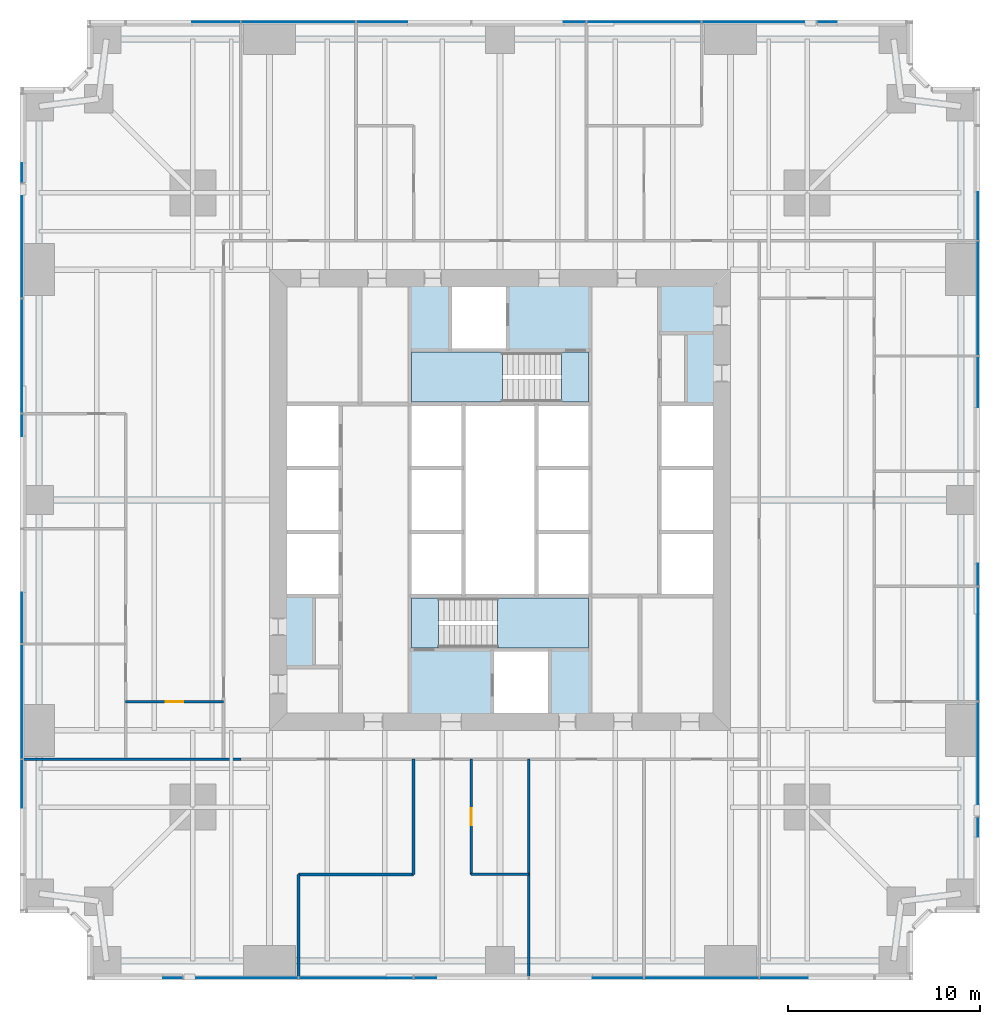
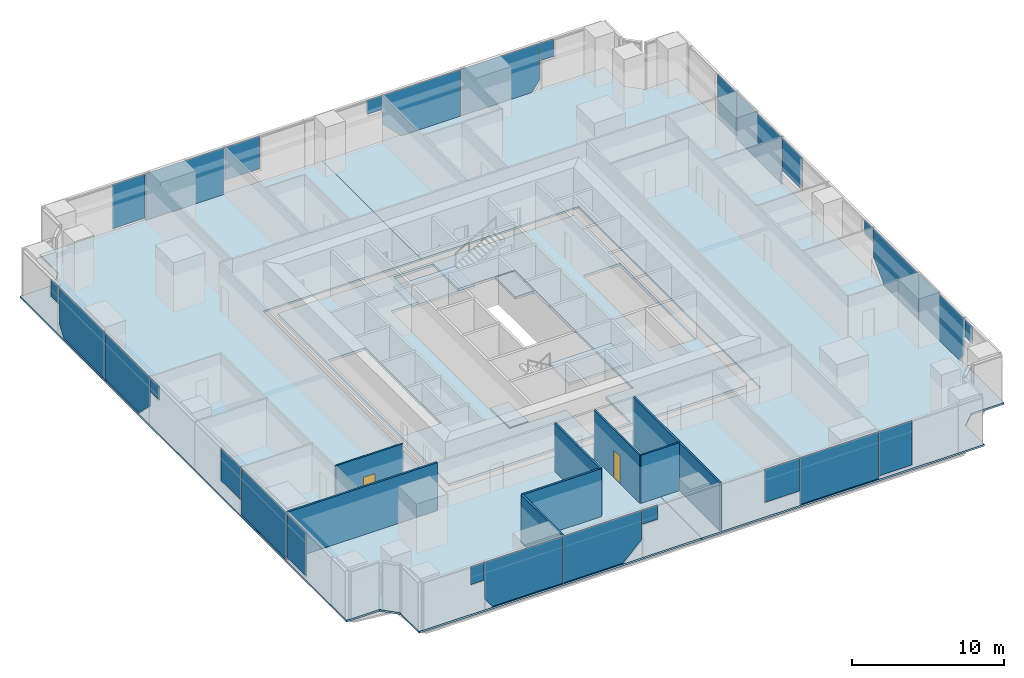
# One storey, part 8 of 13: 28 plates, 8 walls, 7 slabs, 2 doors, 2 openings, 6 elements without a shape of their own.
"""IFC4 building model written with IfcOpenShell, lengths in metres."""

from ifc_helpers import new_model, si_unit, direction, frame, frame_2d, origin, origin_2d, place, context, subcontext, project, spatial, polyline, rectangle, outline, extrude, material, layer, layer_set, type_object, element, fill, aggregate, save


model = new_model("IFC4")

# Units and contexts
model_context = context("Model", 3, precision=1e-05, world=origin(), true_north=direction((0.0, 1.0)))
body_context = subcontext(model_context, "Body", "Model", "MODEL_VIEW")
ifc_project = project(units=[si_unit("LENGTHUNIT", "METRE"), si_unit("AREAUNIT", "SQUARE_METRE"), si_unit("VOLUMEUNIT", "CUBIC_METRE"), si_unit("PLANEANGLEUNIT", "RADIAN"), si_unit("MASSUNIT", "GRAM", prefix="KILO")], contexts=[model_context])

# Site, building, storey
site_placement = place(None, origin())
site = spatial("IfcSite", under=ifc_project, at=site_placement, CompositionType="ELEMENT")
building_placement = place(site_placement, origin())
building = spatial("IfcBuilding", under=site, at=building_placement, Name="Fenwick Lantern Interchange", CompositionType="ELEMENT")
storey_placement = place(building_placement, frame((0.0, 0.0, 39.0)))
storey = spatial("IfcBuildingStorey", under=building, at=storey_placement, Name="L08", CompositionType="ELEMENT", Elevation=39.0)

# Slabs
ifc_material_1 = material(Name="Concrete f'c 35 MPa", Category="concrete")
ifc_layer_1 = layer(ifc_material_1, 0.199951171875)
ifc_layer_set_1 = layer_set([ifc_layer_1], Name="CORE FLOOR SLAB 200")
slab_type_1 = type_object("IfcSlabType", Name="CORE FLOOR SLAB 200", PredefinedType="FLOOR", material=ifc_layer_set_1)
slab_1_placement = place(storey_placement, frame((0.0, 0.0, -0.199951171875)))
element("IfcSlab", 1, at=slab_1_placement, inside=storey, type_object=slab_type_1, Name="L08/SLAB/CORE", PredefinedType="FLOOR", context=body_context, shape_type="SweptSolid", body=[
    extrude(outline(polyline([(13.699951171875, 36.300048828125), (36.300048828125, 36.300048828125), (36.300048828125, 13.699951171875), (13.699951171875, 13.699951171875), (13.699951171875, 36.300048828125)]), holes=[polyline([(13.89990234375, 20.0), (16.699951171875, 20.0), (16.699951171875, 23.333251953125), (16.699951171875, 26.666748046875), (16.699951171875, 30.0), (13.89990234375, 30.0), (13.89990234375, 26.666748046875), (13.89990234375, 23.333251953125), (13.89990234375, 20.0)]), polyline([(20.300048828125, 20.0), (20.300048828125, 17.199951171875), (24.60009765625, 17.199951171875), (24.60009765625, 13.89990234375), (27.60009765625, 13.89990234375), (27.60009765625, 17.199951171875), (29.699951171875, 17.199951171875), (29.699951171875, 20.0), (29.699951171875, 23.333251953125), (29.699951171875, 26.666748046875), (29.699951171875, 30.0), (29.699951171875, 32.800048828125), (25.39990234375, 32.800048828125), (25.39990234375, 36.10009765625), (22.39990234375, 36.10009765625), (22.39990234375, 32.800048828125), (20.300048828125, 32.800048828125), (20.300048828125, 30.0), (20.300048828125, 26.666748046875), (20.300048828125, 23.333251953125), (20.300048828125, 20.0)]), polyline([(33.300048828125, 23.333251953125), (33.300048828125, 20.0), (36.10009765625, 20.0), (36.10009765625, 23.333251953125), (36.10009765625, 26.666748046875), (36.10009765625, 30.0), (33.300048828125, 30.0), (33.300048828125, 26.666748046875), (33.300048828125, 23.333251953125)])]), origin(), (0.0, 0.0, 1.0), 0.199951171875),
])
ifc_material_2 = material(Name="Concrete f'c 35 MPa", Category="concrete")
ifc_layer_2 = layer(ifc_material_2, 0.14990234375)
ifc_layer_set_2 = layer_set([ifc_layer_2], Name="Concrete f'c 35 MPa")
slab_type_2 = type_object("IfcSlabType", Name="FLOOR SLAB 150", PredefinedType="FLOOR", material=ifc_layer_set_2)
slab_2_placement = place(storey_placement, frame((0.0, 0.0, -0.14990234375)))
element("IfcSlab", 2, at=slab_2_placement, inside=storey, type_object=slab_type_2, Name="L08/SLAB/FW", PredefinedType="FLOOR", context=body_context, shape_type="SweptSolid", body=[
    extrude(outline(polyline([(3.5, 0.0), (3.5, 2.5), (2.5, 3.5), (0.0, 3.5), (0.0, 46.5), (2.5, 46.5), (3.5, 47.5), (3.5, 50.0), (25.0, 50.0), (25.0, 37.0), (13.0, 37.0), (13.0, 13.0), (25.0, 13.0), (25.0, 0.0), (3.5, 0.0)])), origin(), (0.0, 0.0, 1.0), 0.14990234375),
])
slab_3_placement = place(storey_placement, frame((0.0, 0.0, -0.14990234375)))
element("IfcSlab", 3, at=slab_3_placement, inside=storey, type_object=slab_type_2, Name="L08/SLAB/FE", PredefinedType="FLOOR", context=body_context, shape_type="SweptSolid", body=[
    extrude(outline(polyline([(46.5, 50.0), (46.5, 47.5), (47.5, 46.5), (50.0, 46.5), (50.0, 3.5), (47.5, 3.5), (46.5, 2.5), (46.5, 0.0), (25.0, 0.0), (25.0, 13.0), (37.0, 13.0), (37.0, 37.0), (25.0, 37.0), (25.0, 50.0), (46.5, 50.0)])), origin(), (0.0, 0.0, 1.0), 0.14990234375),
])

# Curtain wall, plates
ifc_material_3 = material(Name="Aluminium curtain wall frame", Category="aluminium")
curtain_wall_type = type_object("IfcCurtainWallType", Name="OFFICE CURTAIN WALL", PredefinedType="USERDEFINED", material=ifc_material_3)
curtain_wall_1_placement = place(storey_placement, origin())
curtain_wall_1 = element("IfcCurtainWall", 4, at=curtain_wall_1_placement, inside=storey, type_object=curtain_wall_type, Name="Office curtain wall 01", ObjectType="OFFICE CURTAIN WALL", PredefinedType="USERDEFINED")
ifc_material_4 = material(Name="Vision glass, clear low-iron double glazed", Category="glass")
ifc_layer_3 = layer(ifc_material_4, 0.031982421875)
ifc_layer_set_3 = layer_set([ifc_layer_3], Name="OFFICE CURTAIN WALL PANEL 32")
plate_type = type_object("IfcPlateType", Name="OFFICE CURTAIN WALL PANEL 32", PredefinedType="CURTAIN_PANEL", material=ifc_layer_set_3)
plate_1_placement = place(storey_placement, frame((3.60009765625, 0.10009765625, 2.32568359375), z_axis=(0.0, 0.0, 1.0), x_axis=(1.0, 0.0, 0.0)))
plate_1 = element("IfcPlate", 5, at=plate_1_placement, type_object=plate_type, Name="L08/CW/01/P00a", PredefinedType="CURTAIN_PANEL", context=body_context, shape_type="SweptSolid", body=[
    extrude(outline(polyline([(3.8603515625, 0.0), (4.867431640625, 0.0), (4.867431640625, 1.42431640625), (3.8603515625, 1.42431640625), (3.8603515625, 0.0)])), frame((0.0, 0.01611328125, 0.0), z_axis=(0.0, -1.0, 0.0), x_axis=(1.0, 0.0, 0.0)), (0.0, 0.0, 1.0), 0.031982421875),
])
plate_2_placement = place(storey_placement, frame((3.60009765625, 0.10009765625, 0.0), z_axis=(0.0, 0.0, 1.0), x_axis=(1.0, 0.0, 0.0)))
plate_2 = element("IfcPlate", 6, at=plate_2_placement, type_object=plate_type, Name="L08/CW/01/P01a", PredefinedType="CURTAIN_PANEL", context=body_context, shape_type="SweptSolid", body=[
    extrude(outline(polyline([(5.5048828125, 0.0), (10.867431640625, 0.0), (10.867431640625, 3.75), (4.9326171875, 3.75), (4.9326171875, 0.809326171875), (5.5048828125, 0.0)])), frame((0.0, 0.01611328125, 0.0), z_axis=(0.0, -1.0, 0.0), x_axis=(1.0, 0.0, 0.0)), (0.0, 0.0, 1.0), 0.031982421875),
])
plate_3_placement = place(storey_placement, frame((3.60009765625, 0.10009765625, 0.0), z_axis=(0.0, 0.0, 1.0), x_axis=(1.0, 0.0, 0.0)))
plate_3 = element("IfcPlate", 7, at=plate_3_placement, type_object=plate_type, Name="L08/CW/01/P02a", PredefinedType="CURTAIN_PANEL", context=body_context, shape_type="SweptSolid", body=[
    extrude(outline(polyline([(10.9326171875, 0.0), (15.4677734375, 0.0), (16.867431640625, 1.40185546875), (16.867431640625, 3.75), (10.9326171875, 3.75), (10.9326171875, 0.0)])), frame((0.0, 0.01611328125, 0.0), z_axis=(0.0, -1.0, 0.0), x_axis=(1.0, 0.0, 0.0)), (0.0, 0.0, 1.0), 0.031982421875),
])
plate_4_placement = place(storey_placement, frame((3.60009765625, 0.10009765625, 2.60888671875), z_axis=(0.0, 0.0, 1.0), x_axis=(1.0, 0.0, 0.0)))
plate_4 = element("IfcPlate", 8, at=plate_4_placement, type_object=plate_type, Name="L08/CW/01/P03a", PredefinedType="CURTAIN_PANEL", context=body_context, shape_type="SweptSolid", body=[
    extrude(outline(polyline([(16.9326171875, 0.0), (18.072509765625, 0.0), (18.072509765625, 1.14111328125), (16.9326171875, 1.14111328125), (16.9326171875, 0.0)])), frame((0.0, 0.01611328125, 0.0), z_axis=(0.0, -1.0, 0.0), x_axis=(1.0, 0.0, 0.0)), (0.0, 0.0, 1.0), 0.031982421875),
])
plate_5_placement = place(storey_placement, frame((3.60009765625, 0.10009765625, 1.1044921875), z_axis=(0.0, 0.0, 1.0), x_axis=(1.0, 0.0, 0.0)))
plate_5 = element("IfcPlate", 9, at=plate_5_placement, type_object=plate_type, Name="L08/CW/01/P04a", PredefinedType="CURTAIN_PANEL", context=body_context, shape_type="SweptSolid", body=[
    extrude(outline(polyline([(26.2294921875, 0.0), (28.867431640625, 0.0), (28.867431640625, 2.6455078125), (26.2294921875, 2.6455078125), (26.2294921875, 0.0)])), frame((0.0, 0.01611328125, 0.0), z_axis=(0.0, -1.0, 0.0), x_axis=(1.0, 0.0, 0.0)), (0.0, 0.0, 1.0), 0.031982421875),
])
plate_6_placement = place(storey_placement, frame((35.5, 0.10009765625, 0.0), z_axis=(0.0, 0.0, 1.0), x_axis=(1.0, 0.0, 0.0)))
plate_6 = element("IfcPlate", 10, at=plate_6_placement, type_object=plate_type, Name="L08/CW/01/P05", PredefinedType="CURTAIN_PANEL", context=body_context, shape_type="SweptSolid", body=[
    extrude(rectangle(XDim=5.93505859375, YDim=0.031982421875, at=origin_2d()), origin(), (0.0, 0.0, 1.0), 3.75),
])
plate_7_placement = place(storey_placement, frame((3.60009765625, 0.10009765625, 0.201416015625), z_axis=(0.0, 0.0, 1.0), x_axis=(1.0, 0.0, 0.0)))
plate_7 = element("IfcPlate", 11, at=plate_7_placement, type_object=plate_type, Name="L08/CW/01/P06a", PredefinedType="CURTAIN_PANEL", context=body_context, shape_type="SweptSolid", body=[
    extrude(outline(polyline([(34.9326171875, 0.0), (37.4375, 0.0), (37.4375, 3.548583984375), (34.9326171875, 3.548583984375), (34.9326171875, 0.0)])), frame((0.0, 0.01611328125, 0.0), z_axis=(0.0, -1.0, 0.0), x_axis=(1.0, 0.0, 0.0)), (0.0, 0.0, 1.0), 0.031982421875),
])
aggregate(curtain_wall_1, [plate_1, plate_2, plate_3, plate_4, plate_5, plate_6, plate_7])

curtain_wall_2_placement = place(storey_placement, origin())
curtain_wall_2 = element("IfcCurtainWall", 12, at=curtain_wall_2_placement, inside=storey, type_object=curtain_wall_type, Name="Office curtain wall 05", ObjectType="OFFICE CURTAIN WALL", PredefinedType="USERDEFINED")
plate_8_placement = place(storey_placement, frame((49.89990234375, 3.60009765625, 2.32568359375), z_axis=(0.0, 0.0, 1.0), x_axis=(0.0, 1.0, 0.0)))
plate_8 = element("IfcPlate", 13, at=plate_8_placement, type_object=plate_type, Name="L08/CW/05/P00a", PredefinedType="CURTAIN_PANEL", context=body_context, shape_type="SweptSolid", body=[
    extrude(outline(polyline([(3.8603515625, 0.0), (4.867431640625, 0.0), (4.867431640625, 1.42431640625), (3.8603515625, 1.42431640625), (3.8603515625, 0.0)])), frame((0.0, 0.01611328125, 0.0), z_axis=(0.0, -1.0, 0.0), x_axis=(1.0, 0.0, 0.0)), (0.0, 0.0, 1.0), 0.031982421875),
])
plate_9_placement = place(storey_placement, frame((49.89990234375, 3.60009765625, 0.0), z_axis=(0.0, 0.0, 1.0), x_axis=(0.0, 1.0, 0.0)))
plate_9 = element("IfcPlate", 14, at=plate_9_placement, type_object=plate_type, Name="L08/CW/05/P01a", PredefinedType="CURTAIN_PANEL", context=body_context, shape_type="SweptSolid", body=[
    extrude(outline(polyline([(5.5048828125, 0.0), (10.867431640625, 0.0), (10.867431640625, 3.75), (4.9326171875, 3.75), (4.9326171875, 0.809326171875), (5.5048828125, 0.0)])), frame((0.0, 0.01611328125, 0.0), z_axis=(0.0, -1.0, 0.0), x_axis=(1.0, 0.0, 0.0)), (0.0, 0.0, 1.0), 0.031982421875),
])
plate_10_placement = place(storey_placement, frame((49.89990234375, 3.60009765625, 0.0), z_axis=(0.0, 0.0, 1.0), x_axis=(0.0, 1.0, 0.0)))
plate_10 = element("IfcPlate", 15, at=plate_10_placement, type_object=plate_type, Name="L08/CW/05/P02a", PredefinedType="CURTAIN_PANEL", context=body_context, shape_type="SweptSolid", body=[
    extrude(outline(polyline([(10.9326171875, 0.0), (15.4677734375, 0.0), (16.867431640625, 1.40185546875), (16.867431640625, 3.75), (10.9326171875, 3.75), (10.9326171875, 0.0)])), frame((0.0, 0.01611328125, 0.0), z_axis=(0.0, -1.0, 0.0), x_axis=(1.0, 0.0, 0.0)), (0.0, 0.0, 1.0), 0.031982421875),
])
plate_11_placement = place(storey_placement, frame((49.89990234375, 3.60009765625, 2.60888671875), z_axis=(0.0, 0.0, 1.0), x_axis=(0.0, 1.0, 0.0)))
plate_11 = element("IfcPlate", 16, at=plate_11_placement, type_object=plate_type, Name="L08/CW/05/P03a", PredefinedType="CURTAIN_PANEL", context=body_context, shape_type="SweptSolid", body=[
    extrude(outline(polyline([(16.9326171875, 0.0), (18.072509765625, 0.0), (18.072509765625, 1.14111328125), (16.9326171875, 1.14111328125), (16.9326171875, 0.0)])), frame((0.0, 0.01611328125, 0.0), z_axis=(0.0, -1.0, 0.0), x_axis=(1.0, 0.0, 0.0)), (0.0, 0.0, 1.0), 0.031982421875),
])
plate_12_placement = place(storey_placement, frame((49.89990234375, 3.60009765625, 1.1044921875), z_axis=(0.0, 0.0, 1.0), x_axis=(0.0, 1.0, 0.0)))
plate_12 = element("IfcPlate", 17, at=plate_12_placement, type_object=plate_type, Name="L08/CW/05/P04a", PredefinedType="CURTAIN_PANEL", context=body_context, shape_type="SweptSolid", body=[
    extrude(outline(polyline([(26.2294921875, 0.0), (28.867431640625, 0.0), (28.867431640625, 2.6455078125), (26.2294921875, 2.6455078125), (26.2294921875, 0.0)])), frame((0.0, 0.01611328125, 0.0), z_axis=(0.0, -1.0, 0.0), x_axis=(1.0, 0.0, 0.0)), (0.0, 0.0, 1.0), 0.031982421875),
])
plate_13_placement = place(storey_placement, frame((49.89990234375, 35.5, 0.0), z_axis=(0.0, 0.0, 1.0), x_axis=(0.0, 1.0, 0.0)))
plate_13 = element("IfcPlate", 18, at=plate_13_placement, type_object=plate_type, Name="L08/CW/05/P05", PredefinedType="CURTAIN_PANEL", context=body_context, shape_type="SweptSolid", body=[
    extrude(rectangle(XDim=5.93505859375, YDim=0.031982421875, at=origin_2d()), origin(), (0.0, 0.0, 1.0), 3.75),
])
plate_14_placement = place(storey_placement, frame((49.89990234375, 3.60009765625, 0.201416015625), z_axis=(0.0, 0.0, 1.0), x_axis=(0.0, 1.0, 0.0)))
plate_14 = element("IfcPlate", 19, at=plate_14_placement, type_object=plate_type, Name="L08/CW/05/P06a", PredefinedType="CURTAIN_PANEL", context=body_context, shape_type="SweptSolid", body=[
    extrude(outline(polyline([(34.9326171875, 0.0), (37.4375, 0.0), (37.4375, 3.548583984375), (34.9326171875, 3.548583984375), (34.9326171875, 0.0)])), frame((0.0, 0.01611328125, 0.0), z_axis=(0.0, -1.0, 0.0), x_axis=(1.0, 0.0, 0.0)), (0.0, 0.0, 1.0), 0.031982421875),
])
aggregate(curtain_wall_2, [plate_8, plate_9, plate_10, plate_11, plate_12, plate_13, plate_14])

curtain_wall_3_placement = place(storey_placement, origin())
curtain_wall_3 = element("IfcCurtainWall", 20, at=curtain_wall_3_placement, inside=storey, type_object=curtain_wall_type, Name="Office curtain wall 09", ObjectType="OFFICE CURTAIN WALL", PredefinedType="USERDEFINED")
plate_15_placement = place(storey_placement, frame((46.39990234375, 49.89990234375, 2.32568359375), z_axis=(0.0, 0.0, 1.0), x_axis=(-1.0, 0.0, 0.0)))
plate_15 = element("IfcPlate", 21, at=plate_15_placement, type_object=plate_type, Name="L08/CW/09/P00a", PredefinedType="CURTAIN_PANEL", context=body_context, shape_type="SweptSolid", body=[
    extrude(outline(polyline([(3.8603515625, 0.0), (4.867431640625, 0.0), (4.867431640625, 1.42431640625), (3.8603515625, 1.42431640625), (3.8603515625, 0.0)])), frame((0.0, 0.01611328125, 0.0), z_axis=(0.0, -1.0, 0.0), x_axis=(1.0, 0.0, 0.0)), (0.0, 0.0, 1.0), 0.031982421875),
])
plate_16_placement = place(storey_placement, frame((46.39990234375, 49.89990234375, 0.0), z_axis=(0.0, 0.0, 1.0), x_axis=(-1.0, 0.0, 0.0)))
plate_16 = element("IfcPlate", 22, at=plate_16_placement, type_object=plate_type, Name="L08/CW/09/P01a", PredefinedType="CURTAIN_PANEL", context=body_context, shape_type="SweptSolid", body=[
    extrude(outline(polyline([(5.5048828125, 0.0), (10.867431640625, 0.0), (10.867431640625, 3.75), (4.9326171875, 3.75), (4.9326171875, 0.809326171875), (5.5048828125, 0.0)])), frame((0.0, 0.01611328125, 0.0), z_axis=(0.0, -1.0, 0.0), x_axis=(1.0, 0.0, 0.0)), (0.0, 0.0, 1.0), 0.031982421875),
])
plate_17_placement = place(storey_placement, frame((46.39990234375, 49.89990234375, 0.0), z_axis=(0.0, 0.0, 1.0), x_axis=(-1.0, 0.0, 0.0)))
plate_17 = element("IfcPlate", 23, at=plate_17_placement, type_object=plate_type, Name="L08/CW/09/P02a", PredefinedType="CURTAIN_PANEL", context=body_context, shape_type="SweptSolid", body=[
    extrude(outline(polyline([(10.9326171875, 0.0), (15.4677734375, 0.0), (16.867431640625, 1.40185546875), (16.867431640625, 3.75), (10.9326171875, 3.75), (10.9326171875, 0.0)])), frame((0.0, 0.01611328125, 0.0), z_axis=(0.0, -1.0, 0.0), x_axis=(1.0, 0.0, 0.0)), (0.0, 0.0, 1.0), 0.031982421875),
])
plate_18_placement = place(storey_placement, frame((46.39990234375, 49.89990234375, 2.60888671875), z_axis=(0.0, 0.0, 1.0), x_axis=(-1.0, 0.0, 0.0)))
plate_18 = element("IfcPlate", 24, at=plate_18_placement, type_object=plate_type, Name="L08/CW/09/P03a", PredefinedType="CURTAIN_PANEL", context=body_context, shape_type="SweptSolid", body=[
    extrude(outline(polyline([(16.9326171875, 0.0), (18.072509765625, 0.0), (18.072509765625, 1.14111328125), (16.9326171875, 1.14111328125), (16.9326171875, 0.0)])), frame((0.0, 0.01611328125, 0.0), z_axis=(0.0, -1.0, 0.0), x_axis=(1.0, 0.0, 0.0)), (0.0, 0.0, 1.0), 0.031982421875),
])
plate_19_placement = place(storey_placement, frame((46.39990234375, 49.89990234375, 1.1044921875), z_axis=(0.0, 0.0, 1.0), x_axis=(-1.0, 0.0, 0.0)))
plate_19 = element("IfcPlate", 25, at=plate_19_placement, type_object=plate_type, Name="L08/CW/09/P04a", PredefinedType="CURTAIN_PANEL", context=body_context, shape_type="SweptSolid", body=[
    extrude(outline(polyline([(26.2294921875, 0.0), (28.867431640625, 0.0), (28.867431640625, 2.6455078125), (26.2294921875, 2.6455078125), (26.2294921875, 0.0)])), frame((0.0, 0.01611328125, 0.0), z_axis=(0.0, -1.0, 0.0), x_axis=(1.0, 0.0, 0.0)), (0.0, 0.0, 1.0), 0.031982421875),
])
plate_20_placement = place(storey_placement, frame((14.5, 49.89990234375, 0.0), z_axis=(0.0, 0.0, 1.0), x_axis=(-1.0, 0.0, 0.0)))
plate_20 = element("IfcPlate", 26, at=plate_20_placement, type_object=plate_type, Name="L08/CW/09/P05", PredefinedType="CURTAIN_PANEL", context=body_context, shape_type="SweptSolid", body=[
    extrude(rectangle(XDim=5.93505859375, YDim=0.031982421875, at=origin_2d()), origin(), (0.0, 0.0, 1.0), 3.75),
])
plate_21_placement = place(storey_placement, frame((46.39990234375, 49.89990234375, 0.201416015625), z_axis=(0.0, 0.0, 1.0), x_axis=(-1.0, 0.0, 0.0)))
plate_21 = element("IfcPlate", 27, at=plate_21_placement, type_object=plate_type, Name="L08/CW/09/P06a", PredefinedType="CURTAIN_PANEL", context=body_context, shape_type="SweptSolid", body=[
    extrude(outline(polyline([(34.9326171875, 0.0), (37.4375, 0.0), (37.4375, 3.548583984375), (34.9326171875, 3.548583984375), (34.9326171875, 0.0)])), frame((0.0, 0.01611328125, 0.0), z_axis=(0.0, -1.0, 0.0), x_axis=(1.0, 0.0, 0.0)), (0.0, 0.0, 1.0), 0.031982421875),
])
aggregate(curtain_wall_3, [plate_15, plate_16, plate_17, plate_18, plate_19, plate_20, plate_21])

curtain_wall_4_placement = place(storey_placement, origin())
curtain_wall_4 = element("IfcCurtainWall", 28, at=curtain_wall_4_placement, inside=storey, type_object=curtain_wall_type, Name="Office curtain wall 13", ObjectType="OFFICE CURTAIN WALL", PredefinedType="USERDEFINED")
plate_22_placement = place(storey_placement, frame((0.10009765625, 46.39990234375, 2.32568359375), z_axis=(0.0, 0.0, 1.0), x_axis=(0.0, -1.0, 0.0)))
plate_22 = element("IfcPlate", 29, at=plate_22_placement, type_object=plate_type, Name="L08/CW/13/P00a", PredefinedType="CURTAIN_PANEL", context=body_context, shape_type="SweptSolid", body=[
    extrude(outline(polyline([(3.8603515625, 0.0), (4.867431640625, 0.0), (4.867431640625, 1.42431640625), (3.8603515625, 1.42431640625), (3.8603515625, 0.0)])), frame((0.0, 0.01611328125, 0.0), z_axis=(0.0, -1.0, 0.0), x_axis=(1.0, 0.0, 0.0)), (0.0, 0.0, 1.0), 0.031982421875),
])
plate_23_placement = place(storey_placement, frame((0.10009765625, 46.39990234375, 0.0), z_axis=(0.0, 0.0, 1.0), x_axis=(0.0, -1.0, 0.0)))
plate_23 = element("IfcPlate", 30, at=plate_23_placement, type_object=plate_type, Name="L08/CW/13/P01a", PredefinedType="CURTAIN_PANEL", context=body_context, shape_type="SweptSolid", body=[
    extrude(outline(polyline([(5.5048828125, 0.0), (10.867431640625, 0.0), (10.867431640625, 3.75), (4.9326171875, 3.75), (4.9326171875, 0.809326171875), (5.5048828125, 0.0)])), frame((0.0, 0.01611328125, 0.0), z_axis=(0.0, -1.0, 0.0), x_axis=(1.0, 0.0, 0.0)), (0.0, 0.0, 1.0), 0.031982421875),
])
plate_24_placement = place(storey_placement, frame((0.10009765625, 46.39990234375, 0.0), z_axis=(0.0, 0.0, 1.0), x_axis=(0.0, -1.0, 0.0)))
plate_24 = element("IfcPlate", 31, at=plate_24_placement, type_object=plate_type, Name="L08/CW/13/P02a", PredefinedType="CURTAIN_PANEL", context=body_context, shape_type="SweptSolid", body=[
    extrude(outline(polyline([(10.9326171875, 0.0), (15.4677734375, 0.0), (16.867431640625, 1.40185546875), (16.867431640625, 3.75), (10.9326171875, 3.75), (10.9326171875, 0.0)])), frame((0.0, 0.01611328125, 0.0), z_axis=(0.0, -1.0, 0.0), x_axis=(1.0, 0.0, 0.0)), (0.0, 0.0, 1.0), 0.031982421875),
])
plate_25_placement = place(storey_placement, frame((0.10009765625, 46.39990234375, 2.60888671875), z_axis=(0.0, 0.0, 1.0), x_axis=(0.0, -1.0, 0.0)))
plate_25 = element("IfcPlate", 32, at=plate_25_placement, type_object=plate_type, Name="L08/CW/13/P03a", PredefinedType="CURTAIN_PANEL", context=body_context, shape_type="SweptSolid", body=[
    extrude(outline(polyline([(16.9326171875, 0.0), (18.072509765625, 0.0), (18.072509765625, 1.14111328125), (16.9326171875, 1.14111328125), (16.9326171875, 0.0)])), frame((0.0, 0.01611328125, 0.0), z_axis=(0.0, -1.0, 0.0), x_axis=(1.0, 0.0, 0.0)), (0.0, 0.0, 1.0), 0.031982421875),
])
plate_26_placement = place(storey_placement, frame((0.10009765625, 46.39990234375, 1.1044921875), z_axis=(0.0, 0.0, 1.0), x_axis=(0.0, -1.0, 0.0)))
plate_26 = element("IfcPlate", 33, at=plate_26_placement, type_object=plate_type, Name="L08/CW/13/P04a", PredefinedType="CURTAIN_PANEL", context=body_context, shape_type="SweptSolid", body=[
    extrude(outline(polyline([(26.2294921875, 0.0), (28.867431640625, 0.0), (28.867431640625, 2.6455078125), (26.2294921875, 2.6455078125), (26.2294921875, 0.0)])), frame((0.0, 0.01611328125, 0.0), z_axis=(0.0, -1.0, 0.0), x_axis=(1.0, 0.0, 0.0)), (0.0, 0.0, 1.0), 0.031982421875),
])
plate_27_placement = place(storey_placement, frame((0.10009765625, 14.5, 0.0), z_axis=(0.0, 0.0, 1.0), x_axis=(0.0, -1.0, 0.0)))
plate_27 = element("IfcPlate", 34, at=plate_27_placement, type_object=plate_type, Name="L08/CW/13/P05", PredefinedType="CURTAIN_PANEL", context=body_context, shape_type="SweptSolid", body=[
    extrude(rectangle(XDim=5.93505859375, YDim=0.031982421875, at=origin_2d()), origin(), (0.0, 0.0, 1.0), 3.75),
])
plate_28_placement = place(storey_placement, frame((0.10009765625, 46.39990234375, 0.201416015625), z_axis=(0.0, 0.0, 1.0), x_axis=(0.0, -1.0, 0.0)))
plate_28 = element("IfcPlate", 35, at=plate_28_placement, type_object=plate_type, Name="L08/CW/13/P06a", PredefinedType="CURTAIN_PANEL", context=body_context, shape_type="SweptSolid", body=[
    extrude(outline(polyline([(34.9326171875, 0.0), (37.4375, 0.0), (37.4375, 3.548583984375), (34.9326171875, 3.548583984375), (34.9326171875, 0.0)])), frame((0.0, 0.01611328125, 0.0), z_axis=(0.0, -1.0, 0.0), x_axis=(1.0, 0.0, 0.0)), (0.0, 0.0, 1.0), 0.031982421875),
])
aggregate(curtain_wall_4, [plate_22, plate_23, plate_24, plate_25, plate_26, plate_27, plate_28])

# Stair, slabs
ifc_material_5 = material(Name="Precast concrete f'c 35 MPa", Category="concrete")
stair_type = type_object("IfcStairType", Name="EXIT STAIR 1200", PredefinedType="HALF_TURN_STAIR", material=ifc_material_5)
stair_1_placement = place(storey_placement, origin())
stair_1 = element("IfcStair", 36, at=stair_1_placement, inside=storey, type_object=stair_type, Name="Exit stair ST1", PredefinedType="HALF_TURN_STAIR")
ifc_layer_4 = layer(ifc_material_1, 0.199951171875)
ifc_layer_set_4 = layer_set([ifc_layer_4], Name="STAIR LANDING 200")
slab_type_3 = type_object("IfcSlabType", Name="STAIR LANDING 200", PredefinedType="LANDING", material=ifc_layer_set_4)
slab_4_placement = place(storey_placement, frame((0.0, 0.0, 1.800048828125)))
slab_4 = element("IfcSlab", 37, at=slab_4_placement, type_object=slab_type_3, Name="ST1 landing 1", PredefinedType="LANDING", context=body_context, shape_type="SweptSolid", body=[
    extrude(outline(polyline([(24.8798828125, 17.300048828125), (29.60009765625, 17.300048828125), (29.60009765625, 19.89990234375), (24.8798828125, 19.89990234375), (24.8798828125, 17.300048828125)])), origin(), (0.0, 0.0, 1.0), 0.199951171875),
])
slab_5_placement = place(storey_placement, frame((0.0, 0.0, -0.199951171875)))
slab_5 = element("IfcSlab", 38, at=slab_5_placement, type_object=slab_type_3, Name="ST1 landing 2", PredefinedType="LANDING", context=body_context, shape_type="SweptSolid", body=[
    extrude(outline(polyline([(20.39990234375, 17.300048828125), (21.800048828125, 17.300048828125), (21.800048828125, 19.89990234375), (20.39990234375, 19.89990234375), (20.39990234375, 17.300048828125)])), origin(), (0.0, 0.0, 1.0), 0.199951171875),
])
aggregate(stair_1, [slab_4, slab_5])

stair_2_placement = place(storey_placement, origin())
stair_2 = element("IfcStair", 39, at=stair_2_placement, inside=storey, type_object=stair_type, Name="Exit stair ST2", PredefinedType="HALF_TURN_STAIR")
slab_6_placement = place(storey_placement, frame((0.0, 0.0, 1.800048828125)))
slab_6 = element("IfcSlab", 40, at=slab_6_placement, type_object=slab_type_3, Name="ST2 landing 1", PredefinedType="LANDING", context=body_context, shape_type="SweptSolid", body=[
    extrude(outline(polyline([(25.1201171875, 32.699951171875), (20.39990234375, 32.699951171875), (20.39990234375, 30.10009765625), (25.1201171875, 30.10009765625), (25.1201171875, 32.699951171875)])), origin(), (0.0, 0.0, 1.0), 0.199951171875),
])
slab_7_placement = place(storey_placement, frame((0.0, 0.0, -0.199951171875)))
slab_7 = element("IfcSlab", 41, at=slab_7_placement, type_object=slab_type_3, Name="ST2 landing 2", PredefinedType="LANDING", context=body_context, shape_type="SweptSolid", body=[
    extrude(outline(polyline([(29.60009765625, 32.699951171875), (28.199951171875, 32.699951171875), (28.199951171875, 30.10009765625), (29.60009765625, 30.10009765625), (29.60009765625, 32.699951171875)])), origin(), (0.0, 0.0, 1.0), 0.199951171875),
])
aggregate(stair_2, [slab_6, slab_7])

# Wall, opening, door
ifc_material_6 = material(Name="Gypsum board on steel studs, acoustic", Category="steel")
ifc_layer_5 = layer(ifc_material_6, 0.125)
ifc_layer_set_5 = layer_set([ifc_layer_5], Name="OFFICE PARTITION 125")
wall_type_1 = type_object("IfcWallType", Name="OFFICE PARTITION 125", PredefinedType="PARTITIONING", material=ifc_layer_set_5)
wall_1_placement = place(storey_placement, frame((23.5, 5.5, 0.0), z_axis=(0.0, 0.0, 1.0), x_axis=(0.0, 1.0, 0.0)))
wall_1 = element("IfcWall", 42, at=wall_1_placement, inside=storey, type_object=wall_type_1, Name="L08/W/OFF/S/X235-1", PredefinedType="PARTITIONING", context=body_context, shape_type="SweptSolid", body=[
    extrude(rectangle(XDim=6.0, YDim=0.125, at=frame_2d((3.0, 0.0))), origin(), (0.0, 0.0, 1.0), 3.85009765625),
])
opening_1_placement = place(wall_1_placement, frame((2.550048828125, 0.0, 0.0)))
opening_1 = element("IfcOpeningElement", 43, at=opening_1_placement, cuts=wall_1, Name="Opening L08-D021", PredefinedType="OPENING", context=body_context, shape_type="SweptSolid", body=[
    extrude(rectangle(XDim=0.89990234375, YDim=2.199951171875, at=frame_2d((0.449951171875, 1.10009765625))), frame((0.0, 0.072509765625, 0.0), z_axis=(0.0, -1.0, 0.0), x_axis=(1.0, 0.0, 0.0)), (0.0, 0.0, 1.0), 0.14501953125),
])
ifc_material_7 = material(Name="Hardwood door and steel frame", Category="steel")
door_type = type_object("IfcDoorType", Name="OFFICE DOOR 900 X 2200", OperationType="SINGLE_SWING_LEFT", PredefinedType="DOOR", material=ifc_material_7)
door_1_placement = place(opening_1_placement, frame((0.89990234375, 0.0, 0.0), z_axis=(0.0, 0.0, 1.0), x_axis=(-1.0, 0.0, 0.0)))
door_1 = element("IfcDoor", 44, at=door_1_placement, inside=storey, type_object=door_type, Name="Office door", OperationType="SINGLE_SWING_RIGHT", OverallHeight=2.199951171875, OverallWidth=0.89990234375, PredefinedType="DOOR", context=body_context, shape_type="SweptSolid", body=[
    extrude(rectangle(XDim=0.89990234375, YDim=2.199951171875, at=frame_2d((0.449951171875, 1.10009765625))), frame((0.0, 0.02490234375, 0.0), z_axis=(0.0, -1.0, 0.0), x_axis=(1.0, 0.0, 0.0)), (0.0, 0.0, 1.0), 0.050048828125),
])
fill(opening_1, door_1)

# Wall
wall_2_placement = place(storey_placement, frame((23.5, 5.5, 0.0), z_axis=(0.0, 0.0, 1.0), x_axis=(1.0, 0.0, 0.0)))
element("IfcWall", 45, at=wall_2_placement, inside=storey, type_object=wall_type_1, Name="L08/W/OFF/S/Y55-2", PredefinedType="PARTITIONING", context=body_context, shape_type="SweptSolid", body=[
    extrude(rectangle(XDim=3.0, YDim=0.125, at=frame_2d((1.5, 0.0))), origin(), (0.0, 0.0, 1.0), 3.85009765625),
])

# Wall, opening, door
wall_3_placement = place(storey_placement, frame((5.5, 14.5, 0.0), z_axis=(0.0, 0.0, 1.0), x_axis=(1.0, 0.0, 0.0)))
wall_3 = element("IfcWall", 46, at=wall_3_placement, inside=storey, type_object=wall_type_1, Name="L08/W/OFF/W/X355-1", PredefinedType="PARTITIONING", context=body_context, shape_type="SweptSolid", body=[
    extrude(rectangle(XDim=5.10009765625, YDim=0.125, at=frame_2d((2.550048828125, 0.0))), origin(), (0.0, 0.0, 1.0), 3.85009765625),
])
opening_2_placement = place(wall_3_placement, frame((2.10009765625, 0.0, 0.0)))
opening_2 = element("IfcOpeningElement", 47, at=opening_2_placement, cuts=wall_3, Name="Opening L08-D041", PredefinedType="OPENING", context=body_context, shape_type="SweptSolid", body=[
    extrude(rectangle(XDim=0.89990234375, YDim=2.199951171875, at=frame_2d((0.449951171875, 1.10009765625))), frame((0.0, 0.072509765625, 0.0), z_axis=(0.0, -1.0, 0.0), x_axis=(1.0, 0.0, 0.0)), (0.0, 0.0, 1.0), 0.14501953125),
])
door_2_placement = place(opening_2_placement, frame((0.89990234375, 0.0, 0.0), z_axis=(0.0, 0.0, 1.0), x_axis=(-1.0, 0.0, 0.0)))
door_2 = element("IfcDoor", 48, at=door_2_placement, inside=storey, type_object=door_type, Name="Office door", OperationType="SINGLE_SWING_RIGHT", OverallHeight=2.199951171875, OverallWidth=0.89990234375, PredefinedType="DOOR", context=body_context, shape_type="SweptSolid", body=[
    extrude(rectangle(XDim=0.89990234375, YDim=2.199951171875, at=frame_2d((0.449951171875, 1.10009765625))), frame((0.0, 0.02490234375, 0.0), z_axis=(0.0, -1.0, 0.0), x_axis=(1.0, 0.0, 0.0)), (0.0, 0.0, 1.0), 0.050048828125),
])
fill(opening_2, door_2)

# Walls
ifc_material_8 = material(Name="Gypsum board on steel studs, 1 hour acoustic", Category="steel")
ifc_layer_6 = layer(ifc_material_8, 0.14990234375)
ifc_layer_set_6 = layer_set([ifc_layer_6], Name="TENANT WALL 150")
wall_type_2 = type_object("IfcWallType", Name="TENANT WALL 150", PredefinedType="PARTITIONING", material=ifc_layer_set_6)
wall_4_placement = place(storey_placement, frame((0.14990234375, 11.5, 0.0), z_axis=(0.0, 0.0, 1.0), x_axis=(1.0, 0.0, 0.0)))
element("IfcWall", 49, at=wall_4_placement, inside=storey, type_object=wall_type_2, Name="L08/W/OFF/S/BACK", PredefinedType="PARTITIONING", context=body_context, shape_type="SweptSolid", body=[
    extrude(rectangle(XDim=11.35009765625, YDim=0.14990234375, at=frame_2d((5.675048828125, 0.0))), origin(), (0.0, 0.0, 1.0), 3.85009765625),
])
wall_5_placement = place(storey_placement, frame((14.5, 0.14990234375, 0.0), z_axis=(0.0, 0.0, 1.0), x_axis=(0.0, 1.0, 0.0)))
element("IfcWall", 50, at=wall_5_placement, inside=storey, type_object=wall_type_2, Name="L08/W/OFF/S/X145-1", PredefinedType="PARTITIONING", context=body_context, shape_type="SweptSolid", body=[
    extrude(rectangle(XDim=5.35009765625, YDim=0.14990234375, at=frame_2d((2.675048828125, 0.0))), origin(), (0.0, 0.0, 1.0), 3.85009765625),
])
wall_6_placement = place(storey_placement, frame((20.5, 5.5, 0.0), z_axis=(0.0, 0.0, 1.0), x_axis=(0.0, 1.0, 0.0)))
element("IfcWall", 51, at=wall_6_placement, inside=storey, type_object=wall_type_2, Name="L08/W/OFF/S/X205-1", PredefinedType="PARTITIONING", context=body_context, shape_type="SweptSolid", body=[
    extrude(rectangle(XDim=6.0, YDim=0.14990234375, at=frame_2d((3.0, 0.0))), origin(), (0.0, 0.0, 1.0), 3.85009765625),
])
wall_7_placement = place(storey_placement, frame((26.5, 0.14990234375, 0.0), z_axis=(0.0, 0.0, 1.0), x_axis=(0.0, 1.0, 0.0)))
element("IfcWall", 52, at=wall_7_placement, inside=storey, type_object=wall_type_2, Name="L08/W/OFF/S/X265-1", PredefinedType="PARTITIONING", context=body_context, shape_type="SweptSolid", body=[
    extrude(rectangle(XDim=11.35009765625, YDim=0.14990234375, at=frame_2d((5.675048828125, 0.0))), origin(), (0.0, 0.0, 1.0), 3.85009765625),
])
wall_8_placement = place(storey_placement, frame((14.5, 5.5, 0.0), z_axis=(0.0, 0.0, 1.0), x_axis=(1.0, 0.0, 0.0)))
element("IfcWall", 53, at=wall_8_placement, inside=storey, type_object=wall_type_2, Name="L08/W/OFF/S/Y55-1", PredefinedType="PARTITIONING", context=body_context, shape_type="SweptSolid", body=[
    extrude(rectangle(XDim=6.0, YDim=0.14990234375, at=frame_2d((3.0, 0.0))), origin(), (0.0, 0.0, 1.0), 3.85009765625),
])

save(model, "model.ifc")
